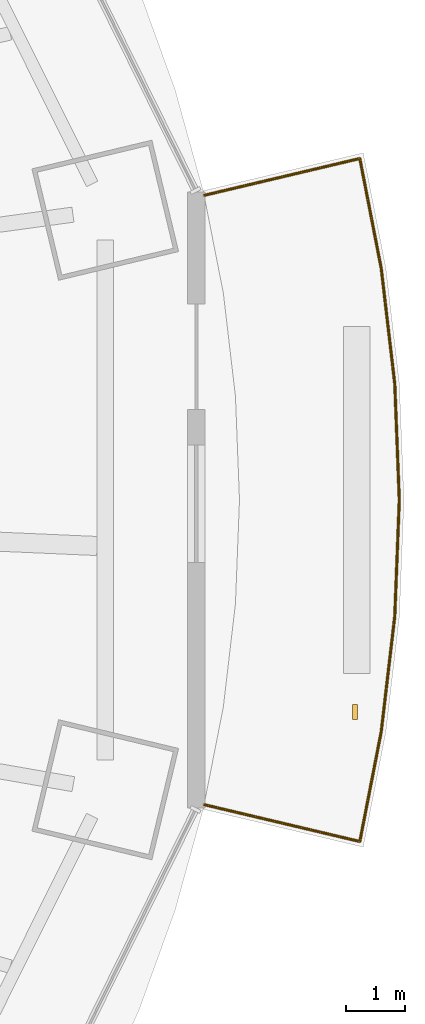
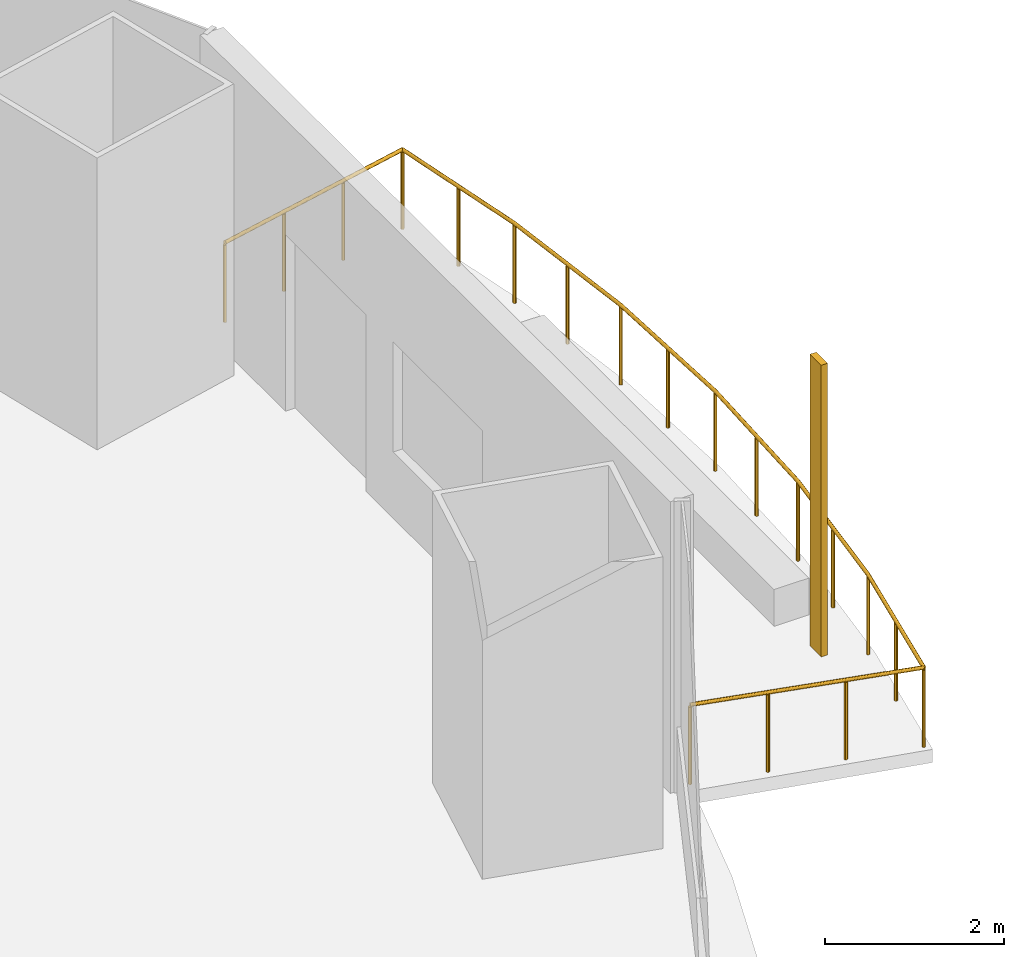
# One storey, part 19 of 20: 1 railing, 1 shading device.
"""IFC4 building model written with IfcOpenShell, lengths in metres."""

from ifc_helpers import new_model, si_unit, direction, frame, origin, origin_2d, place, context, subcontext, project, spatial, rectangle, circle, extrude, material, material_profile, profile_set, type_object, element, save


model = new_model("IFC4")

# Units and contexts
model_context = context("Model", 3, precision=1e-05, world=origin(), true_north=direction((0.0, 1.0)))
body_context = subcontext(model_context, "Body", "Model", "MODEL_VIEW")
ifc_project = project(units=[si_unit("LENGTHUNIT", "METRE"), si_unit("AREAUNIT", "SQUARE_METRE"), si_unit("VOLUMEUNIT", "CUBIC_METRE"), si_unit("PLANEANGLEUNIT", "RADIAN"), si_unit("MASSUNIT", "GRAM", prefix="KILO")], contexts=[model_context])

# Site, building, storey
site_placement = place(None, origin())
site = spatial("IfcSite", under=ifc_project, at=site_placement, CompositionType="ELEMENT")
building_placement = place(site_placement, origin())
building = spatial("IfcBuilding", under=site, at=building_placement, Name="Marenthal Gate Tower", CompositionType="ELEMENT")
storey_placement = place(building_placement, frame((0.0, 0.0, 185.949951171875)))
storey = spatial("IfcBuildingStorey", under=building, at=storey_placement, Name="L40", CompositionType="ELEMENT", Elevation=185.949951171875)

# Railing
ifc_material_1 = material(Name="Stainless steel", Category="steel")
railing_type = type_object("IfcRailingType", Name="Balcony guard 1100", PredefinedType="GUARDRAIL", material=ifc_material_1)
railing_placement = place(storey_placement, frame((33.3359375, 4.5859375, 0.0)))
element("IfcRailing", 1, at=railing_placement, inside=storey, type_object=railing_type, Name="Balcony guard L40 bay 16", PredefinedType="GUARDRAIL", context=body_context, shape_type="SweptSolid", body=[
    extrude(circle(Radius=0.02392578125, at=origin_2d()), frame((0.0, 0.0, 1.076171875), z_axis=(0.973011948097, 0.230284879064, -0.014718129449), x_axis=(-0.230309825657, 0.973117353769, 0.0)), (0.0, 0.0, 1.0), 2.720458984375),
    extrude(circle(Radius=0.02392578125, at=origin_2d()), frame((2.64697265625, 0.62646484375, 1.0361328125), z_axis=(0.19133270439, -0.981525239732, 0.0), x_axis=(0.981525239732, 0.19133270439, 0.0)), (0.0, 0.0, 1.0), 1.905029296875),
    extrude(circle(Radius=0.02392578125, at=origin_2d()), frame((3.011474609375, -1.243408203125, 1.0361328125), z_axis=(0.116397683108, -0.993202687958, 0.0), x_axis=(0.993202687958, 0.116397683108, 0.0)), (0.0, 0.0, 1.0), 1.97998046875),
    extrude(circle(Radius=0.02392578125, at=origin_2d()), frame((3.241943359375, -3.2099609375, 1.0361328125), z_axis=(0.039011545359, -0.999238759921, 0.0), x_axis=(0.999238759921, 0.039011545359, 0.0)), (0.0, 0.0, 1.0), 1.9775390625),
    extrude(circle(Radius=0.02392578125, at=origin_2d()), frame((3.319091796875, -5.18603515625, 1.0361328125), z_axis=(-0.039011545359, -0.999238759921, 0.0), x_axis=(0.999238759921, -0.039011545359, 0.0)), (0.0, 0.0, 1.0), 1.9775390625),
    extrude(circle(Radius=0.02392578125, at=origin_2d()), frame((3.241943359375, -7.162109375, 1.0361328125), z_axis=(-0.116397683108, -0.993202687958, 0.0), x_axis=(0.993202687958, -0.116397683108, 0.0)), (0.0, 0.0, 1.0), 1.97998046875),
    extrude(circle(Radius=0.02392578125, at=origin_2d()), frame((3.011474609375, -9.128662109375, 1.0361328125), z_axis=(-0.191356774256, -0.981520547389, 0.0), x_axis=(0.981520547389, -0.191356774256, 0.0)), (0.0, 0.0, 1.0), 1.90478515625),
    extrude(circle(Radius=0.02392578125, at=origin_2d()), frame((2.64697265625, -10.998291015625, 1.0361328125), z_axis=(-0.973011948097, 0.230284879064, 0.014718129449), x_axis=(-0.230309825657, -0.973117353769, 0.0)), (0.0, 0.0, 1.0), 2.720458984375),
    extrude(circle(Radius=0.02099609375, at=origin_2d()), origin(), (0.0, 0.0, 1.0), 1.052001953125),
    extrude(circle(Radius=0.02099609375, at=origin_2d()), frame((0.88232421875, 0.208740234375, -0.013427734375)), (0.0, 0.0, 1.0), 1.052001953125),
    extrude(circle(Radius=0.02099609375, at=origin_2d()), frame((1.7646484375, 0.417724609375, -0.026611328125)), (0.0, 0.0, 1.0), 1.052001953125),
    extrude(circle(Radius=0.02099609375, at=origin_2d()), frame((2.64697265625, 0.62646484375, -0.0400390625)), (0.0, 0.0, 1.0), 1.052001953125),
    extrude(circle(Radius=0.02099609375, at=origin_2d()), frame((2.8291015625, -0.30859375, -0.0400390625)), (0.0, 0.0, 1.0), 1.052001953125),
    extrude(circle(Radius=0.02099609375, at=origin_2d()), frame((3.011474609375, -1.243408203125, -0.0400390625)), (0.0, 0.0, 1.0), 1.052001953125),
    extrude(circle(Radius=0.02099609375, at=origin_2d()), frame((3.126708984375, -2.2265625, -0.0400390625)), (0.0, 0.0, 1.0), 1.052001953125),
    extrude(circle(Radius=0.02099609375, at=origin_2d()), frame((3.241943359375, -3.2099609375, -0.0400390625)), (0.0, 0.0, 1.0), 1.052001953125),
    extrude(circle(Radius=0.02099609375, at=origin_2d()), frame((3.280517578125, -4.197998046875, -0.0400390625)), (0.0, 0.0, 1.0), 1.052001953125),
    extrude(circle(Radius=0.02099609375, at=origin_2d()), frame((3.319091796875, -5.18603515625, -0.0400390625)), (0.0, 0.0, 1.0), 1.052001953125),
    extrude(circle(Radius=0.02099609375, at=origin_2d()), frame((3.280517578125, -6.174072265625, -0.0400390625)), (0.0, 0.0, 1.0), 1.052001953125),
    extrude(circle(Radius=0.02099609375, at=origin_2d()), frame((3.241943359375, -7.162109375, -0.0400390625)), (0.0, 0.0, 1.0), 1.052001953125),
    extrude(circle(Radius=0.02099609375, at=origin_2d()), frame((3.126708984375, -8.1455078125, -0.0400390625)), (0.0, 0.0, 1.0), 1.052001953125),
    extrude(circle(Radius=0.02099609375, at=origin_2d()), frame((3.011474609375, -9.128662109375, -0.0400390625)), (0.0, 0.0, 1.0), 1.052001953125),
    extrude(circle(Radius=0.02099609375, at=origin_2d()), frame((2.8291015625, -10.0634765625, -0.0400390625)), (0.0, 0.0, 1.0), 1.052001953125),
    extrude(circle(Radius=0.02099609375, at=origin_2d()), frame((2.64697265625, -10.998291015625, -0.0400390625)), (0.0, 0.0, 1.0), 1.052001953125),
    extrude(circle(Radius=0.02099609375, at=origin_2d()), frame((1.7646484375, -10.78955078125, -0.026611328125)), (0.0, 0.0, 1.0), 1.052001953125),
    extrude(circle(Radius=0.02099609375, at=origin_2d()), frame((0.88232421875, -10.58056640625, -0.013427734375)), (0.0, 0.0, 1.0), 1.052001953125),
    extrude(circle(Radius=0.02099609375, at=origin_2d()), frame((0.0, -10.371826171875, 0.0)), (0.0, 0.0, 1.0), 1.052001953125),
])

# Shading device
ifc_material_2 = material(Name="Terracotta", Category="masonry")
ifc_material_profile = material_profile(ifc_material_2, rectangle(XDim=0.25, YDim=0.080078125, at=origin_2d()), Name="Terracotta baguette 250x80")
ifc_profile_set = profile_set([ifc_material_profile], Name="Terracotta")
shading_device_type = type_object("IfcShadingDeviceType", Name="Terracotta BAGUETTE SCREEN 250x80", PredefinedType="USERDEFINED", material=ifc_profile_set)
shading_device_placement = place(storey_placement, frame((35.902099609375, -4.209228515625, -0.0400390625), z_axis=(0.0, 0.0, 1.0), x_axis=(0.0, 1.0, 0.0)))
element("IfcShadingDevice", 2, at=shading_device_placement, inside=storey, type_object=shading_device_type, Name="Terracotta BAGUETTE L40 bay 16L", ObjectType="BAGUETTE SCREEN", PredefinedType="USERDEFINED", context=body_context, shape_type="SweptSolid", body=[
    extrude(rectangle(XDim=0.25, YDim=0.080078125, at=origin_2d()), origin(), (0.0, 0.0, 1.0), 3.969970703125),
])

save(model, "model.ifc")
